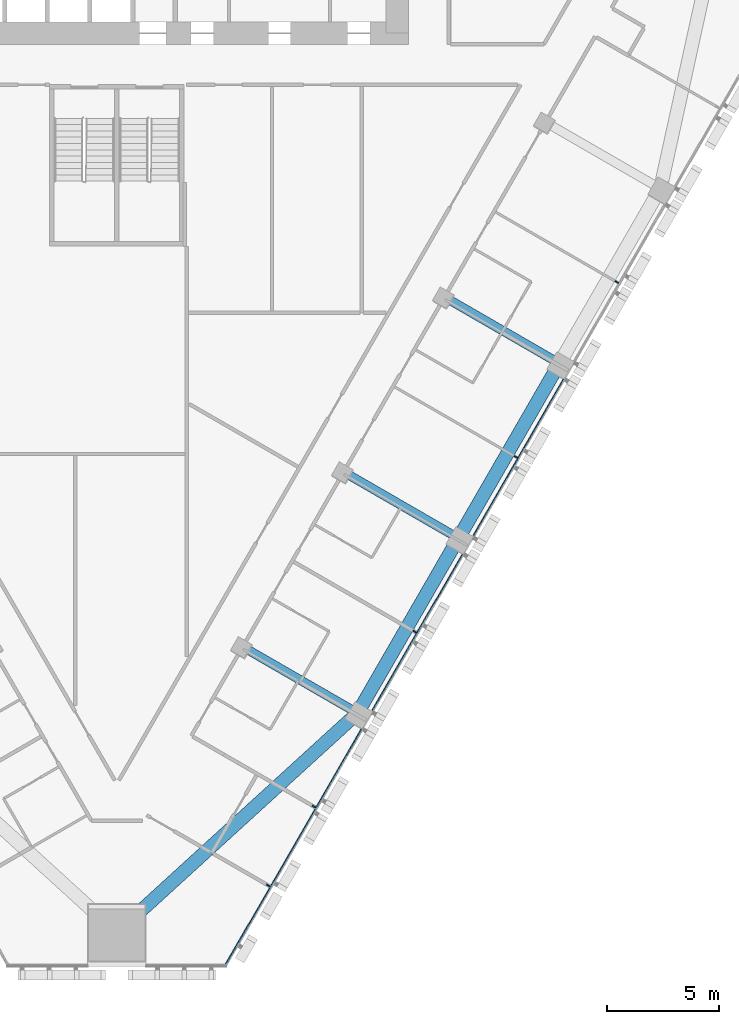
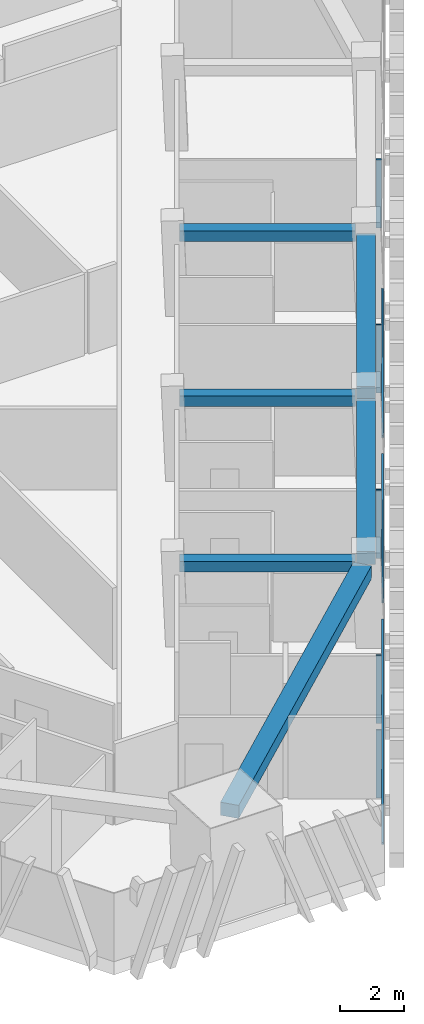
# One storey, part 4 of 18: 8 members, 6 beams, 1 element without a shape of its own.
"""IFC4 building model written with IfcOpenShell, lengths in metres."""

from ifc_helpers import new_model, si_unit, direction, frame, origin, origin_2d, place, context, subcontext, project, spatial, rectangle, extrude, material, layer, layer_set, material_profile, profile_set, type_object, element, aggregate, save


model = new_model("IFC4")

# Units and contexts
model_context = context("Model", 3, precision=1e-05, world=origin(), true_north=direction((0.0, 1.0)))
body_context = subcontext(model_context, "Body", "Model", "MODEL_VIEW")
ifc_project = project(units=[si_unit("LENGTHUNIT", "METRE"), si_unit("AREAUNIT", "SQUARE_METRE"), si_unit("VOLUMEUNIT", "CUBIC_METRE"), si_unit("PLANEANGLEUNIT", "RADIAN"), si_unit("MASSUNIT", "GRAM", prefix="KILO")], contexts=[model_context])

# Site, building, storey
site_placement = place(None, origin())
site = spatial("IfcSite", under=ifc_project, at=site_placement, CompositionType="ELEMENT")
building_placement = place(site_placement, origin())
building = spatial("IfcBuilding", under=site, at=building_placement, Name="Altiplano Prism Tower", CompositionType="ELEMENT")
storey_placement = place(building_placement, frame((0.0, 0.0, 37.800048828125)))
storey = spatial("IfcBuildingStorey", under=building, at=storey_placement, Name="L08", CompositionType="ELEMENT", Elevation=37.800048828125)

# Curtain wall, members
ifc_material_1 = material(Name="Aluminium and glass", Category="aluminium")
ifc_layer = layer(ifc_material_1, 0.280029296875)
ifc_layer_set = layer_set([ifc_layer], Name="Aluminium and glass")
curtain_wall_type = type_object("IfcCurtainWallType", Name="CW1 typical co-living unitised curtain wall", PredefinedType="NOTDEFINED", material=ifc_layer_set)
curtain_wall_placement = place(storey_placement, origin())
curtain_wall = element("IfcCurtainWall", 1, at=curtain_wall_placement, inside=storey, type_object=curtain_wall_type, Name="CW1 curtain wall south-east face L08", PredefinedType="NOTDEFINED")
ifc_material_2 = material(Name="Aluminium", Category="aluminium")
ifc_material_profile_1 = material_profile(ifc_material_2, rectangle(XDim=0.179931640625, YDim=0.06494140625, at=origin_2d()), Name="CW1 mullion 65 x 180")
ifc_profile_set_1 = profile_set([ifc_material_profile_1], Name="Aluminium")
member_type_1 = type_object("IfcMemberType", Name="CW1 mullion 65 x 180", PredefinedType="MULLION", material=ifc_profile_set_1)
member_1_placement = place(storey_placement, frame((91.7509765625, 54.904296875, 0.0), z_axis=(0.0, 0.0, 1.0), x_axis=(-0.8660254093, 0.499999990447, 0.0)))
member_1 = element("IfcMember", 2, at=member_1_placement, type_object=member_type_1, Name="CW1 mullion", PredefinedType="MULLION", context=body_context, shape_type="SweptSolid", body=[
    extrude(rectangle(XDim=0.179931640625, YDim=0.06494140625, at=origin_2d()), origin(), (0.0, 0.0, 1.0), 2.599853515625),
])
member_2_placement = place(storey_placement, frame((93.781982421875, 58.422119140625, 0.0), z_axis=(0.0, 0.0, 1.0), x_axis=(-0.8660254093, 0.499999990447, 0.0)))
member_2 = element("IfcMember", 3, at=member_2_placement, type_object=member_type_1, Name="CW1 mullion", PredefinedType="MULLION", context=body_context, shape_type="SweptSolid", body=[
    extrude(rectangle(XDim=0.179931640625, YDim=0.06494140625, at=origin_2d()), origin(), (0.0, 0.0, 1.0), 2.599853515625),
])
member_3_placement = place(storey_placement, frame((98.281982421875, 66.21630859375, 0.0), z_axis=(0.0, 0.0, 1.0), x_axis=(-0.8660254093, 0.499999990447, 0.0)))
member_3 = element("IfcMember", 4, at=member_3_placement, type_object=member_type_1, Name="CW1 mullion", PredefinedType="MULLION", context=body_context, shape_type="SweptSolid", body=[
    extrude(rectangle(XDim=0.179931640625, YDim=0.06494140625, at=origin_2d()), origin(), (0.0, 0.0, 1.0), 2.599853515625),
])
member_4_placement = place(storey_placement, frame((102.781982421875, 74.0107421875, 0.0), z_axis=(0.0, 0.0, 1.0), x_axis=(-0.8660254093, 0.499999990447, 0.0)))
member_4 = element("IfcMember", 5, at=member_4_placement, type_object=member_type_1, Name="CW1 mullion", PredefinedType="MULLION", context=body_context, shape_type="SweptSolid", body=[
    extrude(rectangle(XDim=0.179931640625, YDim=0.06494140625, at=origin_2d()), origin(), (0.0, 0.0, 1.0), 2.599853515625),
])
member_5_placement = place(storey_placement, frame((107.281982421875, 81.804931640625, 0.0), z_axis=(0.0, 0.0, 1.0), x_axis=(-0.8660254093, 0.499999990447, 0.0)))
member_5 = element("IfcMember", 6, at=member_5_placement, type_object=member_type_1, Name="CW1 mullion", PredefinedType="MULLION", context=body_context, shape_type="SweptSolid", body=[
    extrude(rectangle(XDim=0.179931640625, YDim=0.06494140625, at=origin_2d()), origin(), (0.0, 0.0, 1.0), 2.599853515625),
])
ifc_material_profile_2 = material_profile(ifc_material_2, rectangle(XDim=0.06005859375, YDim=0.080078125, at=origin_2d()), Name="CW1 transom 80 x 60")
ifc_profile_set_2 = profile_set([ifc_material_profile_2], Name="Aluminium")
member_type_2 = type_object("IfcMemberType", Name="CW1 transom 80 x 60", PredefinedType="USERDEFINED", material=ifc_profile_set_2)
member_6_placement = place(storey_placement, frame((89.823974609375, 51.32666015625, 1.099853515625), z_axis=(0.500006588649, 0.866021599793, 0.0), x_axis=(-0.866021599793, 0.500006588649, 0.0)))
member_6 = element("IfcMember", 7, at=member_6_placement, type_object=member_type_2, Name="CW1 transom", ObjectType="TRANSOM", PredefinedType="USERDEFINED", context=body_context, shape_type="SweptSolid", body=[
    extrude(rectangle(XDim=0.06005859375, YDim=0.080078125, at=origin_2d()), origin(), (0.0, 0.0, 1.0), 12.173095703125),
])
member_7_placement = place(storey_placement, frame((96.400634765625, 62.7177734375, 1.099853515625), z_axis=(0.499999136801, 0.866025902152, 0.0), x_axis=(-0.866025902152, 0.499999136801, 0.0)))
member_7 = element("IfcMember", 8, at=member_7_placement, type_object=member_type_2, Name="CW1 transom", ObjectType="TRANSOM", PredefinedType="USERDEFINED", context=body_context, shape_type="SweptSolid", body=[
    extrude(rectangle(XDim=0.06005859375, YDim=0.080078125, at=origin_2d()), origin(), (0.0, 0.0, 1.0), 8.02001953125),
])
member_8_placement = place(storey_placement, frame((100.900634765625, 70.511962890625, 1.099853515625), z_axis=(0.499999136801, 0.866025902152, 0.0), x_axis=(-0.866025902152, 0.499999136801, 0.0)))
member_8 = element("IfcMember", 9, at=member_8_placement, type_object=member_type_2, Name="CW1 transom", ObjectType="TRANSOM", PredefinedType="USERDEFINED", context=body_context, shape_type="SweptSolid", body=[
    extrude(rectangle(XDim=0.06005859375, YDim=0.080078125, at=origin_2d()), origin(), (0.0, 0.0, 1.0), 8.02001953125),
])
aggregate(curtain_wall, [member_1, member_2, member_6, member_3, member_7, member_4, member_8, member_5])

# Beams
ifc_material_3 = material(Name="Concrete C60/75", Category="concrete")
ifc_material_profile_3 = material_profile(ifc_material_3, rectangle(XDim=0.60009765625, YDim=0.5, at=origin_2d()), Name="Edge beam 600x500")
ifc_profile_set_3 = profile_set([ifc_material_profile_3], Name="Concrete C60/75")
beam_type_1 = type_object("IfcBeamType", Name="Edge beam 600x500", PredefinedType="SPANDREL", material=ifc_profile_set_3)
beam_placement = place(storey_placement, frame((85.33251953125, 53.105224609375, 2.849853515625), z_axis=(0.738764003792, 0.673964202833, 0.0), x_axis=(-0.673964202833, 0.738764003792, 0.0)))
element("IfcBeam", 10, at=beam_placement, inside=storey, type_object=beam_type_1, Name="Edge beam M1-P21 L09", PredefinedType="SPANDREL", context=body_context, shape_type="SweptSolid", body=[
    extrude(rectangle(XDim=0.60009765625, YDim=0.5, at=origin_2d()), origin(), (0.0, 0.0, 1.0), 13.7177734375),
])
for number, where, z_axis, x_axis, name in (
    (11, (95.891845703125, 62.87353515625, 2.849853515625), (0.499992746786, 0.866029591389, 0.0), (-0.866029591389, 0.499992746786, 0.0), "Edge beam P21-P22 L09"),
    (12, (100.391845703125, 70.66796875, 2.849853515625), (0.499992746786, 0.866029591389, 0.0), (-0.866029591389, 0.499992746786, 0.0), "Edge beam P22-P23 L09"),
):
    element("IfcBeam", number, at=place(storey_placement, frame(where, z_axis=z_axis, x_axis=x_axis)), inside=storey, type_object=beam_type_1, Name=name, PredefinedType="SPANDREL", context=body_context, shape_type="SweptSolid", body=[
        extrude(rectangle(XDim=0.60009765625, YDim=0.5, at=origin_2d()), origin(), (0.0, 0.0, 1.0), 8.33984375),
    ])
ifc_material_profile_4 = material_profile(ifc_material_3, rectangle(XDim=0.39990234375, YDim=0.39990234375, at=origin_2d()), Name="Tie beam 400x400")
ifc_profile_set_4 = profile_set([ifc_material_profile_4], Name="Concrete C60/75")
beam_type_2 = type_object("IfcBeamType", Name="Tie beam 400x400", PredefinedType="BEAM", material=ifc_profile_set_4)
for number, where, z_axis, x_axis, name in (
    (13, (90.6865234375, 65.497802734375, 2.89990234375), (0.866042665983, -0.499970099802, 0.0), (0.499970099802, 0.866042665983, 0.0), "Tie beam I21 L09"),
    (14, (95.1865234375, 73.2919921875, 2.89990234375), (0.866042665983, -0.499970099802, 0.0), (0.499970099802, 0.866042665983, 0.0), "Tie beam I22 L09"),
    (15, (99.6865234375, 81.086181640625, 2.89990234375), (0.866042665983, -0.499970099802, 0.0), (0.499970099802, 0.866042665983, 0.0), "Tie beam I23 L09"),
):
    element("IfcBeam", number, at=place(storey_placement, frame(where, z_axis=z_axis, x_axis=x_axis)), inside=storey, type_object=beam_type_2, Name=name, PredefinedType="BEAM", context=body_context, shape_type="SweptSolid", body=[
        extrude(rectangle(XDim=0.39990234375, YDim=0.39990234375, at=origin_2d()), origin(), (0.0, 0.0, 1.0), 5.489990234375),
    ])

save(model, "model.ifc")
